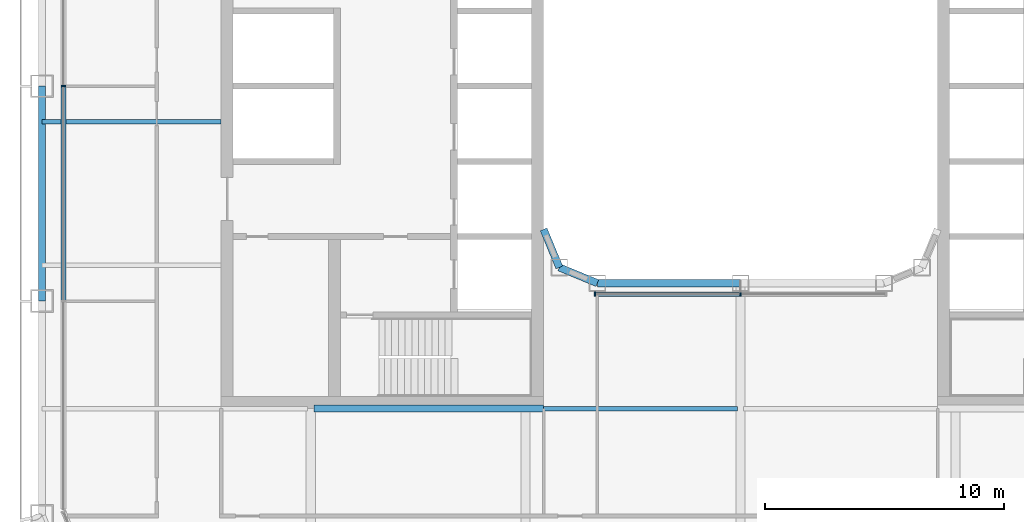
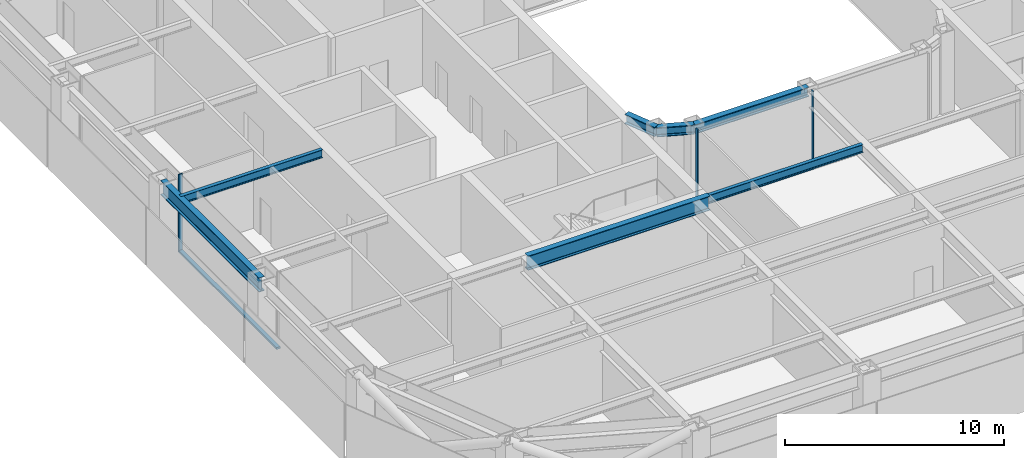
# One storey, part 3 of 23: 7 beams, 5 members, 2 elements without a shape of their own.
"""IFC4 building model written with IfcOpenShell, lengths in metres."""

import ifcopenshell
import ifcopenshell.guid

model = None  # the IFC model being written
_history = None  # IfcOwnerHistory: only IFC2X3 demands one
_inside = {}  # id of a spatial element -> (the spatial element, [elements in it])
_under = {}  # id of a project, library or spatial element -> (it, [spatial elements below it])
_declared = {}  # id of a project -> (the project, [libraries it declares])
_typed = {}  # id of a type object -> (the type object, [elements of that type])
_made_of = {}  # id of a material, layer set ... -> (it, [elements and type objects made of it])


def new_model(schema):
    """Start an empty IFC model of exactly this schema.

    Asked for "IFC4X3", IfcOpenShell would pick the latest addendum, in which some entities
    have other attributes; the version numbers below select the first issue.
    IFC2X3 requires an IfcOwnerHistory on every rooted entity: one is made here for all.
    """
    global model, _history
    if schema == "IFC4X3":
        model = ifcopenshell.file(schema_version=(4, 3, 0, 0))
    else:
        model = ifcopenshell.file(schema=schema)
    _inside.clear()
    _under.clear()
    _declared.clear()
    _typed.clear()
    _made_of.clear()
    _history = None
    if model.schema == "IFC2X3":
        org = make("IfcOrganization", Name="unknown")
        user = make(
            "IfcPersonAndOrganization",
            ThePerson=make("IfcPerson", FamilyName="unknown"),
            TheOrganization=org,
        )
        app = make(
            "IfcApplication",
            ApplicationDeveloper=org,
            Version="unknown",
            ApplicationFullName="unknown",
            ApplicationIdentifier="unknown",
        )
        _history = make(
            "IfcOwnerHistory",
            OwningUser=user,
            OwningApplication=app,
            ChangeAction="ADDED",
            CreationDate=0,
        )
    return model


def make(cls, **values):
    """One entity of the class cls with the attributes given. An attribute that is None is left unset."""
    return model.create_entity(
        cls, **{name: value for name, value in values.items() if value is not None}
    )


def rooted(cls, **values):
    """An entity with a GlobalId (a new one), such as an element, a storey or a relation."""
    return make(cls, GlobalId=ifcopenshell.guid.new(), OwnerHistory=_history, **values)


def si_unit(unit_type, name, prefix=None):
    """IfcSIUnit, for example si_unit("LENGTHUNIT", "METRE", prefix="MILLI")."""
    return make("IfcSIUnit", UnitType=unit_type, Prefix=prefix, Name=name)


def assignment(units):
    """IfcUnitAssignment: the units of a project."""
    return None if units is None else make("IfcUnitAssignment", Units=units)


def point(xyz):
    """IfcCartesianPoint."""
    return None if xyz is None else make("IfcCartesianPoint", Coordinates=xyz)


def direction(xyz):
    """IfcDirection."""
    return None if xyz is None else make("IfcDirection", DirectionRatios=xyz)


def frame(location, z_axis=None, x_axis=None):
    """IfcAxis2Placement3D, a coordinate frame: its origin and axes. An axis left out is left unset."""
    return make(
        "IfcAxis2Placement3D",
        Location=point(location),
        Axis=direction(z_axis),
        RefDirection=direction(x_axis),
    )


def frame_2d(location, x_axis=None):
    """IfcAxis2Placement2D, a coordinate frame in the plane: its origin and x axis."""
    return make(
        "IfcAxis2Placement2D", Location=point(location), RefDirection=direction(x_axis)
    )


def origin():
    """The frame at (0, 0, 0) with its axes left unset."""
    return frame((0.0, 0.0, 0.0))


def origin_2d():
    """The frame at (0, 0) in the plane with its x axis left unset."""
    return frame_2d((0.0, 0.0))


def place(relative_to, where):
    """IfcLocalPlacement: puts the frame where relative to a parent placement (None: the world)."""
    return make(
        "IfcLocalPlacement", PlacementRelTo=relative_to, RelativePlacement=where
    )


def context(
    kind, dimensions, precision=None, world=None, true_north=None, identifier=None
):
    """IfcGeometricRepresentationContext, for example the 3D "Model" context."""
    return make(
        "IfcGeometricRepresentationContext",
        ContextIdentifier=identifier,
        ContextType=kind,
        CoordinateSpaceDimension=dimensions,
        Precision=precision,
        WorldCoordinateSystem=world,
        TrueNorth=true_north,
    )


def subcontext(parent, identifier, kind, view, scale=None):
    """IfcGeometricRepresentationSubContext, for example "Body" below "Model"."""
    return make(
        "IfcGeometricRepresentationSubContext",
        ContextIdentifier=identifier,
        ContextType=kind,
        ParentContext=parent,
        TargetScale=scale,
        TargetView=view,
    )


def project(units=None, contexts=None):
    """IfcProject with its units and contexts."""
    return rooted(
        "IfcProject",
        Name="project",
        RepresentationContexts=contexts,
        UnitsInContext=assignment(units),
    )


def spatial(cls, under=None, at=None, **own):
    """A site, building, storey or space (cls), placed at a placement, below another one or the project."""
    s = rooted(cls, ObjectPlacement=at, **own)
    if under is not None:
        _under.setdefault(under.id(), (under, []))[1].append(s)
    return s


def profile(cls, at=None, kind="AREA", **sizes):
    """A parametric profile (cls). Its sizes go by their IFC names, for example OverallWidth=200.0."""
    return make(cls, ProfileType=kind, Position=at, **sizes)


def rectangle(**sizes):
    """IfcRectangleProfileDef."""
    return profile("IfcRectangleProfileDef", **sizes)


def i_section(**sizes):
    """IfcIShapeProfileDef."""
    return profile("IfcIShapeProfileDef", **sizes)


def extrude(swept, where, along, depth):
    """IfcExtrudedAreaSolid: the profile swept, set in the frame where, extruded along a direction by depth."""
    return make(
        "IfcExtrudedAreaSolid",
        SweptArea=swept,
        Position=where,
        ExtrudedDirection=direction(along),
        Depth=depth,
    )


def shape(context_of_items, identifier, shape_type, items):
    """IfcShapeRepresentation: the items that make up one representation, for example the "Body"."""
    return make(
        "IfcShapeRepresentation",
        ContextOfItems=context_of_items,
        RepresentationIdentifier=identifier,
        RepresentationType=shape_type,
        Items=items,
    )


def material(Name=None, Category=None):
    """IfcMaterial."""
    return make("IfcMaterial", Name=Name, Category=Category)


def layer(
    of_material, thickness, ventilated=None, Name=None, Category=None, Priority=None
):
    """IfcMaterialLayer: one layer of a wall or slab, of a material (None: an air gap)."""
    return make(
        "IfcMaterialLayer",
        Material=of_material,
        LayerThickness=thickness,
        IsVentilated=ventilated,
        Name=Name,
        Category=Category,
        Priority=Priority,
    )


def layer_set(layers, Name=None):
    """IfcMaterialLayerSet."""
    return make("IfcMaterialLayerSet", MaterialLayers=layers, LayerSetName=Name)


def material_profile(
    of_material, cross_section, Name=None, Category=None, Priority=None
):
    """IfcMaterialProfile: a cross section and its material."""
    return make(
        "IfcMaterialProfile",
        Name=Name,
        Material=of_material,
        Profile=cross_section,
        Priority=Priority,
        Category=Category,
    )


def profile_set(profiles, Name=None, composite=None):
    """IfcMaterialProfileSet."""
    return make(
        "IfcMaterialProfileSet",
        Name=Name,
        MaterialProfiles=profiles,
        CompositeProfile=composite,
    )


def made_of(thing, what):
    """Note that an element or type object is made of a material, layer set ...; save() writes the relation."""
    if what is not None:
        _made_of.setdefault(what.id(), (what, []))[1].append(thing)
    return thing


def type_object(cls, material=None, **own):
    """A type object (cls), such as IfcWallType, which elements share."""
    return made_of(rooted(cls, **own), material)


def element(
    cls,
    number,
    at=None,
    inside=None,
    cuts=None,
    type_object=None,
    material=None,
    context=None,
    identifier="Body",
    shape_type=None,
    held_by="IfcProductDefinitionShape",
    body=None,
    shapes=None,
    **own,
):
    """One element of the class cls, such as IfcWall. Its Tag is "e" and its number.

    at: its placement. inside: the storey or other place that contains it. cuts: it is an
    opening in that element (IfcRelVoidsElement). A single representation is given by context,
    identifier, shape_type and body (its items); several are given by shapes. held_by: the class
    of the entity that holds the representations. save() writes the other relations.
    """
    e = rooted(cls, Tag="e%d" % number, ObjectPlacement=at, **own)
    if body is not None:
        shapes = [shape(context, identifier, shape_type, body)]
    if shapes is not None:
        e.Representation = make(held_by, Representations=shapes)
    if inside is not None:
        _inside.setdefault(inside.id(), (inside, []))[1].append(e)
    if cuts is not None:
        rooted(
            "IfcRelVoidsElement", RelatingBuildingElement=cuts, RelatedOpeningElement=e
        )
    if type_object is not None:
        _typed.setdefault(type_object.id(), (type_object, []))[1].append(e)
    return made_of(e, material)


def aggregate(whole, parts):
    """IfcRelAggregates: a whole, such as a stair, and the parts it consists of."""
    return rooted("IfcRelAggregates", RelatingObject=whole, RelatedObjects=parts)


def save(model, path):
    """Write the relations noted so far, then the file.

    IfcRelAggregates (storeys below a building ...), IfcRelContainedInSpatialStructure (elements
    in a storey), IfcRelDefinesByType, IfcRelAssociatesMaterial and IfcRelDeclares: one each for
    every whole, place, type object, material and project.
    """
    for whole, parts in _under.values():
        aggregate(whole, parts)
    for where, things in _inside.values():
        rooted(
            "IfcRelContainedInSpatialStructure",
            RelatedElements=things,
            RelatingStructure=where,
        )
    for kind, things in _typed.values():
        rooted("IfcRelDefinesByType", RelatedObjects=things, RelatingType=kind)
    for what, things in _made_of.values():
        rooted("IfcRelAssociatesMaterial", RelatedObjects=things, RelatingMaterial=what)
    for by, libraries in _declared.values():
        rooted("IfcRelDeclares", RelatingContext=by, RelatedDefinitions=libraries)
    model.write(path)


model = new_model("IFC4")

# Units and contexts
model_context = context("Model", 3, precision=1e-05, world=origin(), true_north=direction((0.0, 1.0)))
body_context = subcontext(model_context, "Body", "Model", "MODEL_VIEW")
ifc_project = project(units=[si_unit("LENGTHUNIT", "METRE"), si_unit("AREAUNIT", "SQUARE_METRE"), si_unit("VOLUMEUNIT", "CUBIC_METRE"), si_unit("PLANEANGLEUNIT", "RADIAN"), si_unit("MASSUNIT", "GRAM", prefix="KILO")], contexts=[model_context])

# Site, building, storey
site_placement = place(None, origin())
site = spatial("IfcSite", under=ifc_project, at=site_placement, CompositionType="ELEMENT")
building_placement = place(site_placement, origin())
building = spatial("IfcBuilding", under=site, at=building_placement, Name="Siwar Civic Tower", CompositionType="ELEMENT")
storey_placement = place(building_placement, frame((0.0, 0.0, 127.199951171875)))
storey = spatial("IfcBuildingStorey", under=building, at=storey_placement, Name="L27", CompositionType="ELEMENT", Elevation=127.199951171875)

# Curtain wall, member
ifc_material_1 = material(Name="Aluminium and glass", Category="aluminium")
ifc_layer_1 = layer(ifc_material_1, 0.199951171875)
ifc_layer_set_1 = layer_set([ifc_layer_1], Name="Aluminium and glass")
curtain_wall_type_1 = type_object("IfcCurtainWallType", Name="ENV-CW-B", PredefinedType="NOTDEFINED", material=ifc_layer_set_1)
curtain_wall_1_placement = place(storey_placement, origin())
curtain_wall_1 = element("IfcCurtainWall", 1, at=curtain_wall_1_placement, inside=storey, type_object=curtain_wall_type_1, Name="Curtain wall B W", PredefinedType="NOTDEFINED")
ifc_material_2 = material(Name="Aluminium 6063-T6", Category="aluminium")
ifc_material_profile_1 = material_profile(ifc_material_2, rectangle(XDim=0.199951171875, YDim=0.06494140625, at=origin_2d()), Name="AL 200x65")
ifc_profile_set_1 = profile_set([ifc_material_profile_1], Name="Aluminium 6063-T6")
member_type_1 = type_object("IfcMemberType", Name="ENV-MULLION-B", PredefinedType="MULLION", material=ifc_profile_set_1)
member_1_placement = place(storey_placement, frame((-28.35009765625, 0.0, 0.0), z_axis=(0.0, 0.0, 1.0), x_axis=(1.0, 0.0, 0.0)))
member_1 = element("IfcMember", 2, at=member_1_placement, type_object=member_type_1, Name="Mullion B W 3", PredefinedType="MULLION", context=body_context, shape_type="SweptSolid", body=[
    extrude(rectangle(XDim=0.199951171875, YDim=0.06494140625, at=origin_2d()), origin(), (0.0, 0.0, 1.0), 4.35009765625),
])

# Curtain wall, members
ifc_material_3 = material(Name="Aluminium and glass", Category="aluminium")
ifc_layer_2 = layer(ifc_material_3, 0.179931640625)
ifc_layer_set_2 = layer_set([ifc_layer_2], Name="Aluminium and glass")
curtain_wall_type_2 = type_object("IfcCurtainWallType", Name="ENV-CW-W", PredefinedType="NOTDEFINED", material=ifc_layer_set_2)
curtain_wall_2_placement = place(storey_placement, origin())
curtain_wall_2 = element("IfcCurtainWall", 3, at=curtain_wall_2_placement, inside=storey, type_object=curtain_wall_type_2, Name="Curtain wall W WS", PredefinedType="NOTDEFINED")
ifc_material_4 = material(Name="Aluminium 6063-T6", Category="aluminium")
ifc_material_profile_2 = material_profile(ifc_material_4, rectangle(XDim=0.179931640625, YDim=0.06005859375, at=origin_2d()), Name="AL 180x60")
ifc_profile_set_2 = profile_set([ifc_material_profile_2], Name="Aluminium 6063-T6")
member_type_2 = type_object("IfcMemberType", Name="ENV-MULLION-W", PredefinedType="MULLION", material=ifc_profile_set_2)
member_2_placement = place(storey_placement, frame((-6.091552734375, -8.7099609375, 0.0), z_axis=(0.0, 0.0, 1.0), x_axis=(0.0, 1.0, 0.0)))
member_2 = element("IfcMember", 4, at=member_2_placement, type_object=member_type_2, Name="Mullion W WS 1", PredefinedType="MULLION", context=body_context, shape_type="SweptSolid", body=[
    extrude(rectangle(XDim=0.179931640625, YDim=0.06005859375, at=origin_2d()), origin(), (0.0, 0.0, 1.0), 4.35009765625),
])
member_3_placement = place(storey_placement, frame((0.0, -8.7099609375, 0.0), z_axis=(0.0, 0.0, 1.0), x_axis=(0.0, 1.0, 0.0)))
member_3 = element("IfcMember", 5, at=member_3_placement, type_object=member_type_2, Name="Mullion W WS 2", PredefinedType="MULLION", context=body_context, shape_type="SweptSolid", body=[
    extrude(rectangle(XDim=0.179931640625, YDim=0.06005859375, at=origin_2d()), origin(), (0.0, 0.0, 1.0), 4.35009765625),
])

# Member
ifc_material_5 = material(Name="Aluminium 6063-T6", Category="aluminium")
ifc_material_profile_3 = material_profile(ifc_material_5, rectangle(XDim=0.199951171875, YDim=0.110107421875, at=origin_2d()), Name="AL 200x110")
ifc_profile_set_3 = profile_set([ifc_material_profile_3], Name="Aluminium 6063-T6")
member_type_3 = type_object("IfcMemberType", Name="ENV-TRANSOM-B", PredefinedType="USERDEFINED", material=ifc_profile_set_3)
member_4_placement = place(storey_placement, frame((-28.35009765625, -0.032470703125, 0.054931640625), z_axis=(0.0, -1.0, 0.0), x_axis=(1.0, 0.0, 0.0)))
member_4 = element("IfcMember", 6, at=member_4_placement, type_object=member_type_3, Name="Transom B W 3", ObjectType="TRANSOM", PredefinedType="USERDEFINED", context=body_context, shape_type="SweptSolid", body=[
    extrude(rectangle(XDim=0.199951171875, YDim=0.110107421875, at=origin_2d()), origin(), (0.0, 0.0, 1.0), 8.93505859375),
])

aggregate(curtain_wall_1, [member_1, member_4])

ifc_material_6 = material(Name="Aluminium 6063-T6", Category="aluminium")
ifc_material_profile_4 = material_profile(ifc_material_6, rectangle(XDim=0.179931640625, YDim=0.10009765625, at=origin_2d()), Name="AL 180x100")
ifc_profile_set_4 = profile_set([ifc_material_profile_4], Name="Aluminium 6063-T6")
member_type_4 = type_object("IfcMemberType", Name="ENV-TRANSOM-W", PredefinedType="USERDEFINED", material=ifc_profile_set_4)
member_5_placement = place(storey_placement, frame((-6.0615234375, -8.7099609375, 0.050048828125), z_axis=(1.0, 0.0, 0.0), x_axis=(0.0, 1.0, 0.0)))
member_5 = element("IfcMember", 7, at=member_5_placement, type_object=member_type_4, Name="Transom W WS 1", ObjectType="TRANSOM", PredefinedType="USERDEFINED", context=body_context, shape_type="SweptSolid", body=[
    extrude(rectangle(XDim=0.179931640625, YDim=0.10009765625, at=origin_2d()), origin(), (0.0, 0.0, 1.0), 6.031494140625),
])

aggregate(curtain_wall_2, [member_2, member_3, member_5])

# Beams
ifc_material_7 = material(Name="Steel S355", Category="steel")
ifc_material_profile_5 = material_profile(ifc_material_7, i_section(OverallWidth=0.18994140625, OverallDepth=0.449951171875, WebThickness=0.009521484375, FlangeThickness=0.0146484375, FilletRadius=0.02099609375, at=origin_2d()), Name="IPE450")
ifc_profile_set_5 = profile_set([ifc_material_profile_5], Name="Steel S355")
beam_type_1 = type_object("IfcBeamType", Name="STR-FB-IPE450", PredefinedType="JOIST", material=ifc_profile_set_5)
beam_1_placement = place(storey_placement, frame((-8.25, -13.5, 4.125), z_axis=(1.0, 0.0, 0.0), x_axis=(0.0, 1.0, 0.0)))
element("IfcBeam", 8, at=beam_1_placement, inside=storey, type_object=beam_type_1, Name="L27/bm/F016", PredefinedType="JOIST", context=body_context, shape_type="SweptSolid", body=[
    extrude(i_section(OverallWidth=0.18994140625, OverallDepth=0.449951171875, WebThickness=0.009521484375, FlangeThickness=0.0146484375, FilletRadius=0.02099609375, at=origin_2d()), origin(), (0.0, 0.0, 1.0), 8.1201171875),
])
beam_2_placement = place(storey_placement, frame((-29.25, -1.5, 4.125), z_axis=(1.0, 0.0, 0.0), x_axis=(0.0, 1.0, 0.0)))
element("IfcBeam", 9, at=beam_2_placement, inside=storey, type_object=beam_type_1, Name="L27/bm/F023", PredefinedType="JOIST", context=body_context, shape_type="SweptSolid", body=[
    extrude(i_section(OverallWidth=0.18994140625, OverallDepth=0.449951171875, WebThickness=0.009521484375, FlangeThickness=0.0146484375, FilletRadius=0.02099609375, at=origin_2d()), origin(), (0.0, 0.0, 1.0), 7.5),
])
ifc_material_8 = material(Name="Steel S355", Category="steel")
ifc_material_profile_6 = material_profile(ifc_material_8, i_section(OverallWidth=0.300048828125, OverallDepth=0.800048828125, WebThickness=0.017578125, FlangeThickness=0.032958984375, FilletRadius=0.030029296875, at=origin_2d()), Name="HEB800")
ifc_profile_set_6 = profile_set([ifc_material_profile_6], Name="Steel S355")
beam_type_2 = type_object("IfcBeamType", Name="STR-PG-HEB800", PredefinedType="BEAM", material=ifc_profile_set_6)
beam_3_placement = place(storey_placement, frame((-17.8701171875, -13.5, 3.949951171875), z_axis=(1.0, 0.0, 0.0), x_axis=(0.0, 1.0, 0.0)))
element("IfcBeam", 10, at=beam_3_placement, inside=storey, type_object=beam_type_2, Name="L27/bm/F015", PredefinedType="BEAM", context=body_context, shape_type="SweptSolid", body=[
    extrude(i_section(OverallWidth=0.300048828125, OverallDepth=0.800048828125, WebThickness=0.017578125, FlangeThickness=0.032958984375, FilletRadius=0.030029296875, at=origin_2d()), origin(), (0.0, 0.0, 1.0), 9.6201171875),
])
ifc_material_9 = material(Name="Steel S355", Category="steel")
ifc_material_profile_7 = material_profile(ifc_material_9, i_section(OverallWidth=0.305908203125, OverallDepth=0.52392578125, WebThickness=0.02099609375, FlangeThickness=0.0400390625, FilletRadius=0.027099609375, at=origin_2d()), Name="HEM500")
ifc_profile_set_7 = profile_set([ifc_material_profile_7], Name="Steel S355")
beam_type_3 = type_object("IfcBeamType", Name="STR-RB-HEM500", PredefinedType="BEAM", material=ifc_profile_set_7)
beam_4_placement = place(storey_placement, frame((-7.591064453125, -7.591064453125, 4.088134765625), z_axis=(0.923901072997, -0.382631424892, 0.0), x_axis=(0.382631424892, 0.923901072997, 0.0)))
element("IfcBeam", 11, at=beam_4_placement, inside=storey, type_object=beam_type_3, Name="L27/bm/RS0", PredefinedType="BEAM", context=body_context, shape_type="SweptSolid", body=[
    extrude(i_section(OverallWidth=0.305908203125, OverallDepth=0.52392578125, WebThickness=0.02099609375, FlangeThickness=0.0400390625, FilletRadius=0.027099609375, at=origin_2d()), origin(), (0.0, 0.0, 1.0), 1.72216796875),
])
beam_5_placement = place(storey_placement, frame((-6.0, -8.25, 4.088134765625), z_axis=(1.0, 0.0, 0.0), x_axis=(0.0, 1.0, 0.0)))
element("IfcBeam", 12, at=beam_5_placement, inside=storey, type_object=beam_type_3, Name="L27/bm/RS1", PredefinedType="BEAM", context=body_context, shape_type="SweptSolid", body=[
    extrude(i_section(OverallWidth=0.305908203125, OverallDepth=0.52392578125, WebThickness=0.02099609375, FlangeThickness=0.0400390625, FilletRadius=0.027099609375, at=origin_2d()), origin(), (0.0, 0.0, 1.0), 6.0),
])
beam_6_placement = place(storey_placement, frame((-7.591064453125, -7.591064453125, 4.088134765625), z_axis=(-0.382631424892, 0.923901072997, 0.0), x_axis=(-0.923901072997, -0.382631424892, 0.0)))
element("IfcBeam", 13, at=beam_6_placement, inside=storey, type_object=beam_type_3, Name="L27/bm/RSEW", PredefinedType="BEAM", context=body_context, shape_type="SweptSolid", body=[
    extrude(i_section(OverallWidth=0.305908203125, OverallDepth=0.52392578125, WebThickness=0.02099609375, FlangeThickness=0.0400390625, FilletRadius=0.027099609375, at=origin_2d()), origin(), (0.0, 0.0, 1.0), 1.72216796875),
])
ifc_material_10 = material(Name="Steel S355", Category="steel")
ifc_material_profile_8 = material_profile(ifc_material_10, i_section(OverallWidth=0.300048828125, OverallDepth=0.800048828125, WebThickness=0.017578125, FlangeThickness=0.032958984375, FilletRadius=0.030029296875, at=origin_2d()), Name="HEB800")
ifc_profile_set_8 = profile_set([ifc_material_profile_8], Name="Steel S355")
beam_type_4 = type_object("IfcBeamType", Name="STR-SB-HEB800", PredefinedType="BEAM", material=ifc_profile_set_8)
beam_7_placement = place(storey_placement, frame((-29.25, 0.0, 3.949951171875), z_axis=(0.0, -1.0, 0.0), x_axis=(1.0, 0.0, 0.0)))
element("IfcBeam", 14, at=beam_7_placement, inside=storey, type_object=beam_type_4, Name="L27/bm/SW-2", PredefinedType="BEAM", context=body_context, shape_type="SweptSolid", body=[
    extrude(i_section(OverallWidth=0.300048828125, OverallDepth=0.800048828125, WebThickness=0.017578125, FlangeThickness=0.032958984375, FilletRadius=0.030029296875, at=origin_2d()), origin(), (0.0, 0.0, 1.0), 9.0),
])

save(model, "model.ifc")
